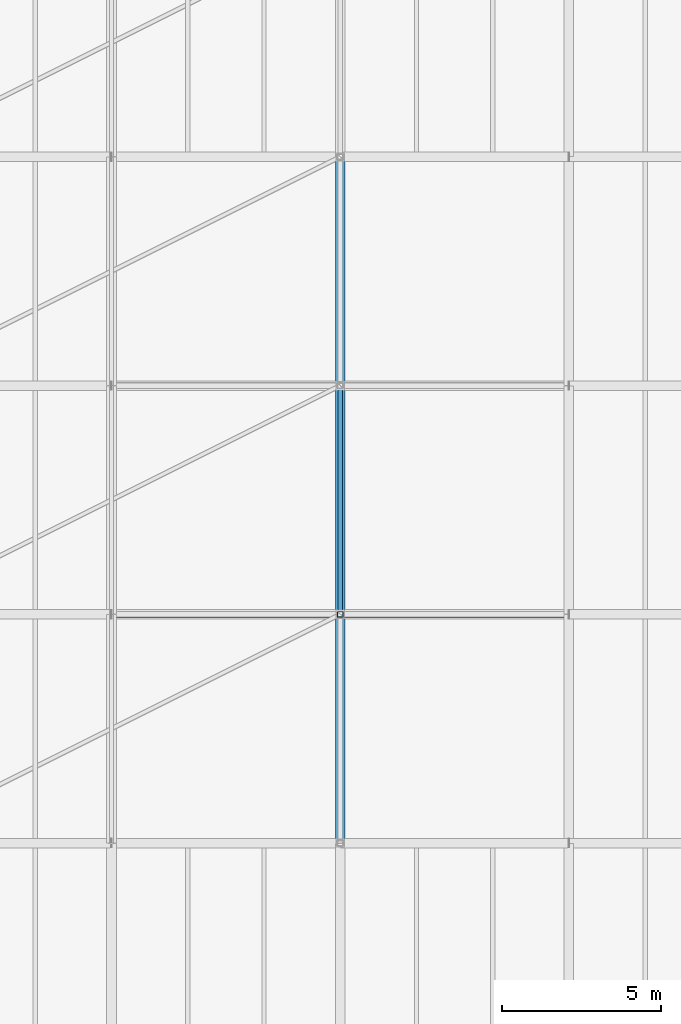
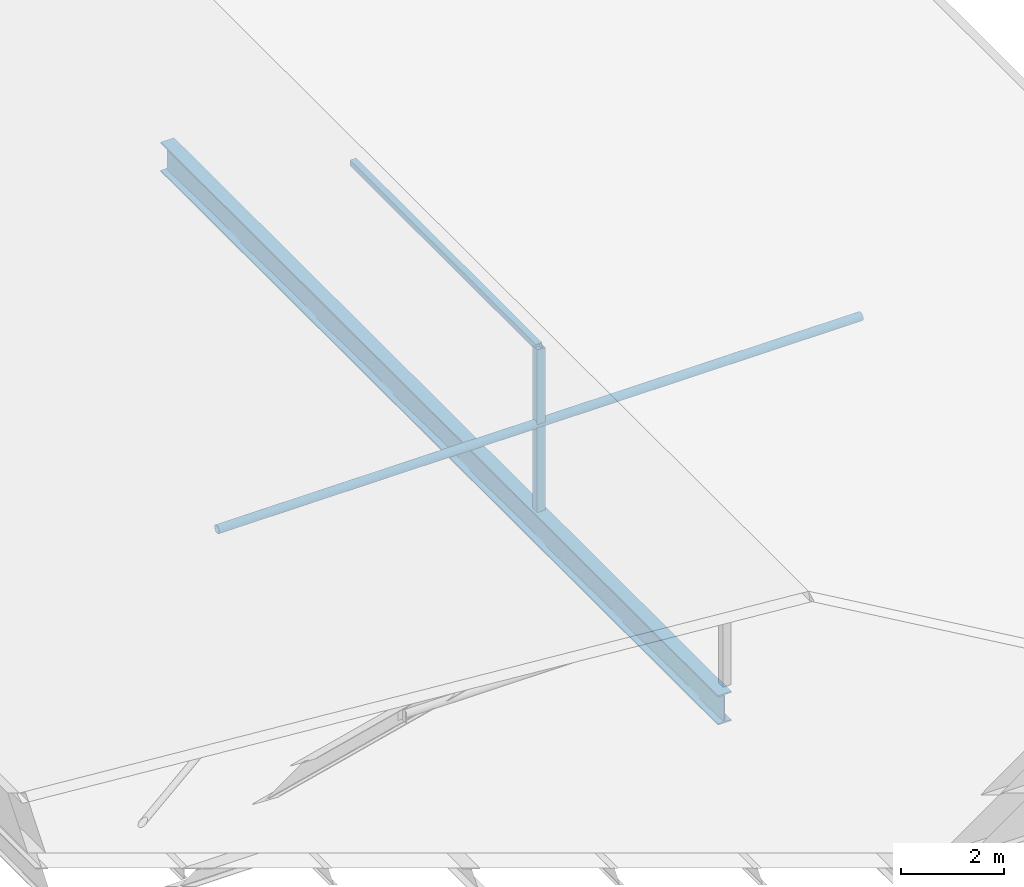
# One storey, part 6 of 44: 3 members, 1 beam.
"""IFC4 building model written with IfcOpenShell, lengths in metres."""

from ifc_helpers import new_model, si_unit, direction, frame, origin, origin_2d, place, context, subcontext, project, spatial, hollow_rectangle, hollow_circle, i_section, extrude, material, material_profile, profile_set, type_object, element, save


model = new_model("IFC4")

# Units and contexts
model_context = context("Model", 3, precision=1e-05, world=origin(), true_north=direction((0.0, 1.0)))
body_context = subcontext(model_context, "Body", "Model", "MODEL_VIEW")
ifc_project = project(units=[si_unit("LENGTHUNIT", "METRE"), si_unit("AREAUNIT", "SQUARE_METRE"), si_unit("VOLUMEUNIT", "CUBIC_METRE"), si_unit("PLANEANGLEUNIT", "RADIAN"), si_unit("MASSUNIT", "GRAM", prefix="KILO")], contexts=[model_context])

# Site, building, storey
site_placement = place(None, origin())
site = spatial("IfcSite", under=ifc_project, at=site_placement, CompositionType="ELEMENT")
building_placement = place(site_placement, origin())
building = spatial("IfcBuilding", under=site, at=building_placement, Name="Narikvali Park Central Library", CompositionType="ELEMENT")
storey_placement = place(building_placement, frame((0.0, 0.0, 22.800048828125)))
storey = spatial("IfcBuildingStorey", under=building, at=storey_placement, Name="L05", CompositionType="ELEMENT", Elevation=22.800048828125)

# Member
ifc_material = material(Name="Steel S355", Category="steel")
ifc_material_profile_1 = material_profile(ifc_material, hollow_rectangle(XDim=0.179931640625, YDim=0.179931640625, WallThickness=0.010009765625, at=origin_2d()), Name="SHS 180x180x10")
ifc_profile_set_1 = profile_set([ifc_material_profile_1], Name="Steel S355")
member_type_1 = type_object("IfcMemberType", Name="Auditorium Truss Vertical SHS180", PredefinedType="COLLAR", material=ifc_profile_set_1)
member_1_placement = place(storey_placement, frame((43.199951171875, 72.0, -0.239990234375), z_axis=(0.0, 0.0, 1.0), x_axis=(1.0, 0.0, 0.0)))
element("IfcMember", 1, at=member_1_placement, inside=storey, type_object=member_type_1, Name="V4 Roof Truss King Strut 2", PredefinedType="COLLAR", context=body_context, shape_type="SweptSolid", body=[
    extrude(hollow_rectangle(XDim=0.179931640625, YDim=0.179931640625, WallThickness=0.010009765625, at=origin_2d()), origin(), (0.0, 0.0, 1.0), 3.83984375),
])

# Beam
ifc_material_profile_2 = material_profile(ifc_material, i_section(OverallWidth=0.300048828125, OverallDepth=0.699951171875, WebThickness=0.01708984375, FlangeThickness=0.031982421875, FilletRadius=0.027099609375, at=origin_2d()), Name="HEB 700")
ifc_profile_set_2 = profile_set([ifc_material_profile_2], Name="Steel S355")
beam_type = type_object("IfcBeamType", Name="Long Span Girder HEB700", PredefinedType="BEAM", material=ifc_profile_set_2)
beam_placement = place(storey_placement, frame((43.199951171875, 64.80810546875, -0.590087890625), z_axis=(0.0, 1.0, 0.0), x_axis=(-1.0, 0.0, 0.0)))
element("IfcBeam", 2, at=beam_placement, inside=storey, type_object=beam_type, Name="V4 L05 Girder Y", PredefinedType="BEAM", context=body_context, shape_type="SweptSolid", body=[
    extrude(i_section(OverallWidth=0.300048828125, OverallDepth=0.699951171875, WebThickness=0.01708984375, FlangeThickness=0.031982421875, FilletRadius=0.027099609375, at=origin_2d()), origin(), (0.0, 0.0, 1.0), 21.583984375),
])

# Members
ifc_material_profile_3 = material_profile(ifc_material, hollow_circle(Radius=0.096923828125, WallThickness=0.010009765625, at=origin_2d()), Name="CHS 193.7x10")
ifc_profile_set_3 = profile_set([ifc_material_profile_3], Name="Steel S355")
member_type_2 = type_object("IfcMemberType", Name="Pavilion Roof Collar Tie CHS193", PredefinedType="COLLAR", material=ifc_profile_set_3)
member_2_placement = place(storey_placement, frame((36.0, 72.0, 1.800048828125), z_axis=(1.0, 0.0, 0.0), x_axis=(0.0, 1.0, 0.0)))
element("IfcMember", 3, at=member_2_placement, inside=storey, type_object=member_type_2, Name="V4 Roof Collar Tie 2", PredefinedType="COLLAR", context=body_context, shape_type="SweptSolid", body=[
    extrude(hollow_circle(Radius=0.096923828125, WallThickness=0.010009765625, at=origin_2d()), origin(), (0.0, 0.0, 1.0), 14.39990234375),
])
ifc_material_profile_4 = material_profile(ifc_material, hollow_rectangle(XDim=0.139892578125, YDim=0.139892578125, WallThickness=0.008056640625, at=origin_2d()), Name="SHS 140x140x8")
ifc_profile_set_4 = profile_set([ifc_material_profile_4], Name="Steel S355")
member_type_3 = type_object("IfcMemberType", Name="Roof Secondary Purlin SHS140x140", PredefinedType="PURLIN", material=ifc_profile_set_4)
member_3_placement = place(storey_placement, frame((43.199951171875, 72.0, 3.599853515625), z_axis=(0.0, 1.0, 0.0), x_axis=(-1.0, 0.0, 0.0)))
element("IfcMember", 4, at=member_3_placement, inside=storey, type_object=member_type_3, Name="V4 Ridge Purlin 2", PredefinedType="PURLIN", context=body_context, shape_type="SweptSolid", body=[
    extrude(hollow_rectangle(XDim=0.139892578125, YDim=0.139892578125, WallThickness=0.008056640625, at=origin_2d()), origin(), (0.0, 0.0, 1.0), 7.199951171875),
])

save(model, "model.ifc")
